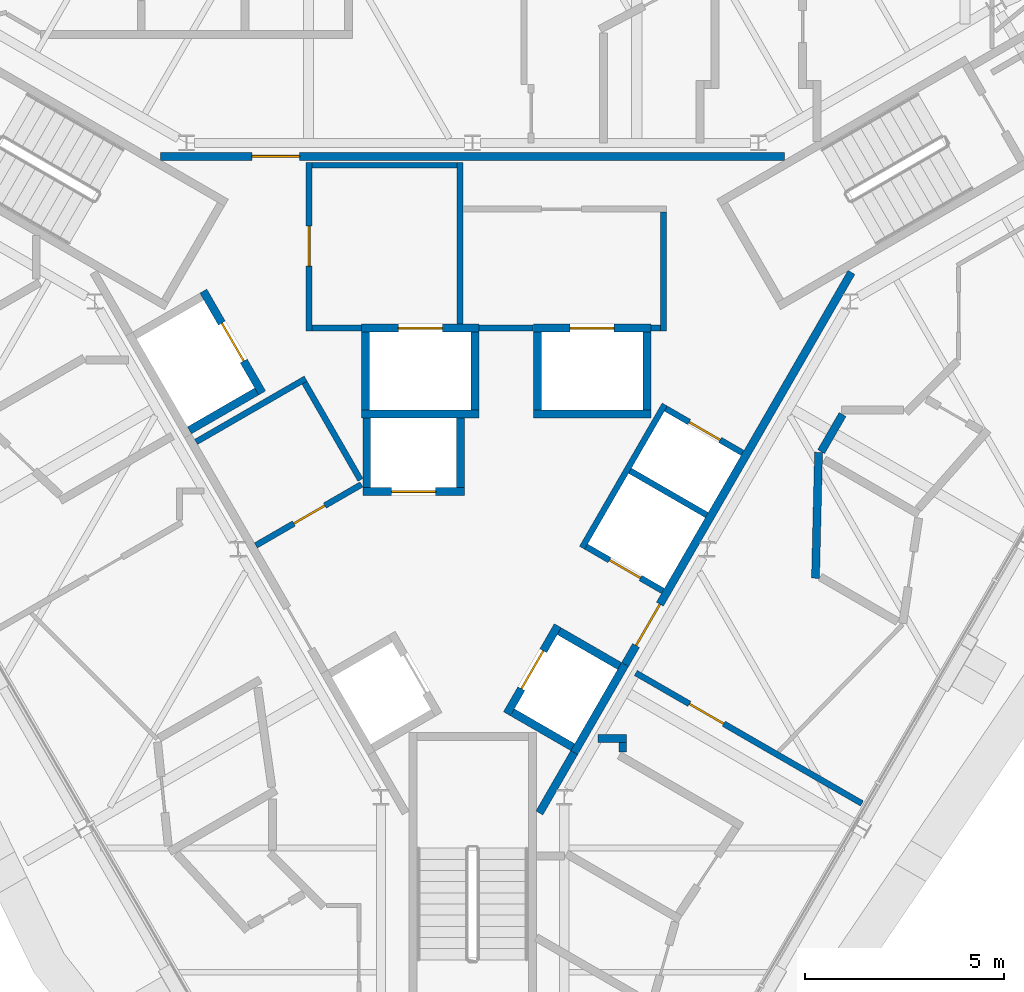
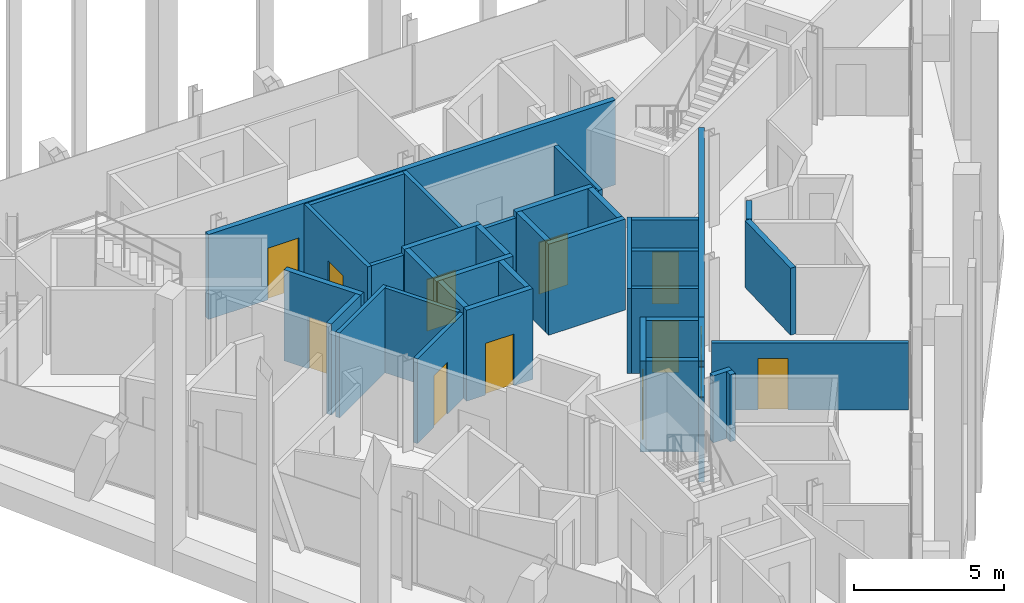
# One storey, part 10 of 15: 39 walls, 12 doors, 12 openings.
"""IFC4 building model written with IfcOpenShell, lengths in metres."""

from ifc_helpers import new_model, si_unit, direction, frame, frame_2d, origin, place, context, subcontext, project, spatial, rectangle, extrude, material, layer, layer_set, type_object, element, fill, save


model = new_model("IFC4")

# Units and contexts
model_context = context("Model", 3, precision=1e-05, world=origin(), true_north=direction((0.0, 1.0)))
body_context = subcontext(model_context, "Body", "Model", "MODEL_VIEW")
ifc_project = project(units=[si_unit("LENGTHUNIT", "METRE"), si_unit("AREAUNIT", "SQUARE_METRE"), si_unit("VOLUMEUNIT", "CUBIC_METRE"), si_unit("PLANEANGLEUNIT", "RADIAN"), si_unit("MASSUNIT", "GRAM", prefix="KILO")], contexts=[model_context])

# Site, building, storey
site_placement = place(None, origin())
site = spatial("IfcSite", under=ifc_project, at=site_placement, CompositionType="ELEMENT")
building_placement = place(site_placement, origin())
building = spatial("IfcBuilding", under=site, at=building_placement, Name="Verrane Prism Tower", CompositionType="ELEMENT")
storey_placement = place(building_placement, frame((0.0, 0.0, 297.300048828125)))
storey = spatial("IfcBuildingStorey", under=building, at=storey_placement, Name="L75", CompositionType="ELEMENT", Elevation=297.300048828125)

# Wall, opening, door
ifc_material_1 = material(Name="Gypsum board partition", Category="other")
ifc_layer_1 = layer(ifc_material_1, 0.199951171875)
ifc_layer_set_1 = layer_set([ifc_layer_1], Name="CW-200 core boundary wall 2 h")
wall_type_1 = type_object("IfcWallType", Name="CW-200 core boundary wall 2 h", PredefinedType="PARTITIONING", material=ifc_layer_set_1)
wall_1_placement = place(storey_placement, frame((7.8291015625, 6.4599609375, 0.0), z_axis=(0.0, 0.0, 1.0), x_axis=(-1.0, 0.0, 0.0)))
wall_1 = element("IfcWall", 1, at=wall_1_placement, inside=storey, type_object=wall_type_1, Name="Core boundary wall CW3-002", PredefinedType="PARTITIONING", context=body_context, shape_type="SweptSolid", body=[
    extrude(rectangle(XDim=15.658203125, YDim=0.199951171875, at=frame_2d((7.8291015625, 0.0))), origin(), (0.0, 0.0, 1.0), 3.449951171875),
])
opening_1_placement = place(wall_1_placement, frame((12.16796875, 0.0, 0.0)))
opening_1 = element("IfcOpeningElement", 2, at=opening_1_placement, cuts=wall_1, Name="Opening D75509", PredefinedType="OPENING", context=body_context, shape_type="SweptSolid", body=[
    extrude(rectangle(XDim=1.199951171875, YDim=2.10009765625, at=frame_2d((0.60009765625, 1.050048828125))), frame((0.0, 0.10986328125, 0.0), z_axis=(0.0, -1.0, 0.0), x_axis=(1.0, 0.0, 0.0)), (0.0, 0.0, 1.0), 0.219970703125),
])
ifc_material_2 = material(Name="Timber veneered door leaf", Category="wood")
door_type_1 = type_object("IfcDoorType", Name="DR-1200x2100 FD60 single leaf lift lobby", OperationType="NOTDEFINED", PredefinedType="DOOR", material=ifc_material_2)
door_1_placement = place(opening_1_placement, origin())
door_1 = element("IfcDoor", 3, at=door_1_placement, inside=storey, type_object=door_type_1, Name="Lift lobby door D75509", OperationType="SINGLE_SWING_RIGHT", OverallHeight=2.10009765625, OverallWidth=1.199951171875, PredefinedType="DOOR", context=body_context, shape_type="SweptSolid", body=[
    extrude(rectangle(XDim=1.199951171875, YDim=2.10009765625, at=frame_2d((0.60009765625, 1.050048828125))), frame((0.0, 0.02490234375, 0.0), z_axis=(0.0, -1.0, 0.0), x_axis=(1.0, 0.0, 0.0)), (0.0, 0.0, 1.0), 0.050048828125),
])
fill(opening_1, door_1)

# Wall
wall_2_placement = place(storey_placement, frame((1.677490234375, -10.0146484375, 0.0), z_axis=(0.0, 0.0, 1.0), x_axis=(0.49983532306, 0.866120459187, 0.0)))
element("IfcWall", 4, at=wall_2_placement, inside=storey, type_object=wall_type_1, Name="Core boundary wall CW3-005", PredefinedType="PARTITIONING", context=body_context, shape_type="SweptSolid", body=[
    extrude(rectangle(XDim=1.74755859375, YDim=0.199951171875, at=frame_2d((0.873779296875, 0.0))), origin(), (0.0, 0.0, 1.0), 3.449951171875),
])

# Wall, opening, door
wall_3_placement = place(storey_placement, frame((3.827880859375, -6.2900390625, 0.0), z_axis=(0.0, 0.0, 1.0), x_axis=(0.499979739078, 0.866037101117, 0.0)))
wall_3 = element("IfcWall", 5, at=wall_3_placement, inside=storey, type_object=wall_type_1, Name="Core boundary wall CW3-006", PredefinedType="PARTITIONING", context=body_context, shape_type="SweptSolid", body=[
    extrude(rectangle(XDim=11.36279296875, YDim=0.199951171875, at=frame_2d((5.681396484375, 0.0))), origin(), (0.0, 0.0, 1.0), 3.449951171875),
])
opening_2_placement = place(wall_3_placement, frame((0.550048828125, 0.0, 0.0)))
opening_2 = element("IfcOpeningElement", 6, at=opening_2_placement, cuts=wall_3, Name="Opening D75515", PredefinedType="OPENING", context=body_context, shape_type="SweptSolid", body=[
    extrude(rectangle(XDim=1.199951171875, YDim=2.10009765625, at=frame_2d((0.60009765625, 1.050048828125))), frame((0.0, 0.10986328125, 0.0), z_axis=(0.0, -1.0, 0.0), x_axis=(1.0, 0.0, 0.0)), (0.0, 0.0, 1.0), 0.219970703125),
])
door_2_placement = place(opening_2_placement, origin())
door_2 = element("IfcDoor", 7, at=door_2_placement, inside=storey, type_object=door_type_1, Name="Lift lobby door D75515", OperationType="SINGLE_SWING_RIGHT", OverallHeight=2.10009765625, OverallWidth=1.199951171875, PredefinedType="DOOR", context=body_context, shape_type="SweptSolid", body=[
    extrude(rectangle(XDim=1.199951171875, YDim=2.10009765625, at=frame_2d((0.60009765625, 1.050048828125))), frame((0.0, 0.02490234375, 0.0), z_axis=(0.0, -1.0, 0.0), x_axis=(1.0, 0.0, 0.0)), (0.0, 0.0, 1.0), 0.050048828125),
])
fill(opening_2, door_2)

ifc_material_3 = material(Name="Gypsum board shaft wall assembly", Category="other")
ifc_layer_2 = layer(ifc_material_3, 0.199951171875)
ifc_layer_set_2 = layer_set([ifc_layer_2], Name="HW-200 lift shaft wall 2 h")
wall_type_2 = type_object("IfcWallType", Name="HW-200 lift shaft wall 2 h", PredefinedType="PARTITIONING", material=ifc_layer_set_2)
wall_4_placement = place(storey_placement, frame((-2.7548828125, -1.949951171875, 0.0), z_axis=(0.0, 0.0, 1.0), x_axis=(1.0, 0.0, 0.0)))
wall_4 = element("IfcWall", 8, at=wall_4_placement, inside=storey, type_object=wall_type_2, Name="Lift shaft wall", PredefinedType="PARTITIONING", context=body_context, shape_type="SweptSolid", body=[
    extrude(rectangle(XDim=2.5498046875, YDim=0.199951171875, at=frame_2d((1.27490234375, 0.0))), origin(), (0.0, 0.0, 1.0), 3.699951171875),
])
opening_3_placement = place(wall_4_placement, frame((0.72509765625, 0.0, 0.0)))
opening_3 = element("IfcOpeningElement", 9, at=opening_3_placement, cuts=wall_4, Name="Opening D75504", PredefinedType="OPENING", context=body_context, shape_type="SweptSolid", body=[
    extrude(rectangle(XDim=1.10009765625, YDim=2.10009765625, at=frame_2d((0.550048828125, 1.050048828125))), frame((0.0, 0.10986328125, 0.0), z_axis=(0.0, -1.0, 0.0), x_axis=(1.0, 0.0, 0.0)), (0.0, 0.0, 1.0), 0.219970703125),
])
ifc_material_4 = material(Name="Stainless steel sliding landing door", Category="steel")
door_type_2 = type_object("IfcDoorType", Name="LD-1100x2100 lift landing door FD90 sliding", OperationType="NOTDEFINED", PredefinedType="DOOR", material=ifc_material_4)
door_3_placement = place(opening_3_placement, origin())
door_3 = element("IfcDoor", 10, at=door_3_placement, inside=storey, type_object=door_type_2, Name="Bank C lift 2 landing door", OperationType="SLIDING_TO_RIGHT", OverallHeight=2.10009765625, OverallWidth=1.10009765625, PredefinedType="DOOR", context=body_context, shape_type="SweptSolid", body=[
    extrude(rectangle(XDim=1.10009765625, YDim=2.10009765625, at=frame_2d((0.550048828125, 1.050048828125))), frame((0.0, 0.02490234375, 0.0), z_axis=(0.0, -1.0, 0.0), x_axis=(1.0, 0.0, 0.0)), (0.0, 0.0, 1.0), 0.050048828125),
])
fill(opening_3, door_3)

# Walls
wall_5_placement = place(storey_placement, frame((-2.784912109375, 0.0, 0.0), z_axis=(0.0, 0.0, 1.0), x_axis=(1.0, 0.0, 0.0)))
element("IfcWall", 11, at=wall_5_placement, inside=storey, type_object=wall_type_2, Name="Lift shaft wall", PredefinedType="PARTITIONING", context=body_context, shape_type="SweptSolid", body=[
    extrude(rectangle(XDim=2.949951171875, YDim=0.199951171875, at=frame_2d((1.47509765625, 0.0))), origin(), (0.0, 0.0, 1.0), 3.699951171875),
])
wall_6_placement = place(storey_placement, frame((1.52490234375, 0.0, 0.0), z_axis=(0.0, 0.0, 1.0), x_axis=(1.0, 0.0, 0.0)))
element("IfcWall", 12, at=wall_6_placement, inside=storey, type_object=wall_type_2, Name="Lift shaft wall", PredefinedType="PARTITIONING", context=body_context, shape_type="SweptSolid", body=[
    extrude(rectangle(XDim=2.9501953125, YDim=0.199951171875, at=frame_2d((1.47509765625, 0.0))), origin(), (0.0, 0.0, 1.0), 3.699951171875),
])

# Wall, opening, door
wall_7_placement = place(storey_placement, frame((-2.784912109375, 2.14990234375, 0.0), z_axis=(0.0, 0.0, 1.0), x_axis=(1.0, 0.0, 0.0)))
wall_7 = element("IfcWall", 13, at=wall_7_placement, inside=storey, type_object=wall_type_2, Name="Lift shaft wall", PredefinedType="PARTITIONING", context=body_context, shape_type="SweptSolid", body=[
    extrude(rectangle(XDim=2.949951171875, YDim=0.199951171875, at=frame_2d((1.47509765625, 0.0))), origin(), (0.0, 0.0, 1.0), 3.699951171875),
])
opening_4_placement = place(wall_7_placement, frame((0.925048828125, 0.0, 0.0)))
opening_4 = element("IfcOpeningElement", 14, at=opening_4_placement, cuts=wall_7, Name="Opening D75506", PredefinedType="OPENING", context=body_context, shape_type="SweptSolid", body=[
    extrude(rectangle(XDim=1.10009765625, YDim=2.10009765625, at=frame_2d((0.550048828125, 1.050048828125))), frame((0.0, 0.10986328125, 0.0), z_axis=(0.0, -1.0, 0.0), x_axis=(1.0, 0.0, 0.0)), (0.0, 0.0, 1.0), 0.219970703125),
])
door_4_placement = place(opening_4_placement, origin())
door_4 = element("IfcDoor", 15, at=door_4_placement, inside=storey, type_object=door_type_2, Name="Fire service lift 1 landing door", OperationType="SLIDING_TO_LEFT", OverallHeight=2.10009765625, OverallWidth=1.10009765625, PredefinedType="DOOR", context=body_context, shape_type="SweptSolid", body=[
    extrude(rectangle(XDim=1.10009765625, YDim=2.10009765625, at=frame_2d((0.550048828125, 1.050048828125))), frame((0.0, 0.02490234375, 0.0), z_axis=(0.0, -1.0, 0.0), x_axis=(1.0, 0.0, 0.0)), (0.0, 0.0, 1.0), 0.050048828125),
])
fill(opening_4, door_4)

wall_8_placement = place(storey_placement, frame((1.52490234375, 2.14990234375, 0.0), z_axis=(0.0, 0.0, 1.0), x_axis=(1.0, 0.0, 0.0)))
wall_8 = element("IfcWall", 16, at=wall_8_placement, inside=storey, type_object=wall_type_2, Name="Lift shaft wall", PredefinedType="PARTITIONING", context=body_context, shape_type="SweptSolid", body=[
    extrude(rectangle(XDim=2.9501953125, YDim=0.199951171875, at=frame_2d((1.47509765625, 0.0))), origin(), (0.0, 0.0, 1.0), 3.699951171875),
])
opening_5_placement = place(wall_8_placement, frame((0.925048828125, 0.0, 0.0)))
opening_5 = element("IfcOpeningElement", 17, at=opening_5_placement, cuts=wall_8, Name="Opening D75507", PredefinedType="OPENING", context=body_context, shape_type="SweptSolid", body=[
    extrude(rectangle(XDim=1.10009765625, YDim=2.10009765625, at=frame_2d((0.550048828125, 1.050048828125))), frame((0.0, 0.10986328125, 0.0), z_axis=(0.0, -1.0, 0.0), x_axis=(1.0, 0.0, 0.0)), (0.0, 0.0, 1.0), 0.219970703125),
])
door_5_placement = place(opening_5_placement, origin())
door_5 = element("IfcDoor", 18, at=door_5_placement, inside=storey, type_object=door_type_2, Name="Fire service lift 2 landing door", OperationType="SLIDING_TO_RIGHT", OverallHeight=2.10009765625, OverallWidth=1.10009765625, PredefinedType="DOOR", context=body_context, shape_type="SweptSolid", body=[
    extrude(rectangle(XDim=1.10009765625, YDim=2.10009765625, at=frame_2d((0.550048828125, 1.050048828125))), frame((0.0, 0.02490234375, 0.0), z_axis=(0.0, -1.0, 0.0), x_axis=(1.0, 0.0, 0.0)), (0.0, 0.0, 1.0), 0.050048828125),
])
fill(opening_5, door_5)

# Walls
wall_9_placement = place(storey_placement, frame((-7.10546875, -0.4130859375, 0.0), z_axis=(0.0, 0.0, 1.0), x_axis=(0.866000020948, 0.500043961785, 0.0)))
element("IfcWall", 19, at=wall_9_placement, inside=storey, type_object=wall_type_2, Name="Lift shaft wall", PredefinedType="PARTITIONING", context=body_context, shape_type="SweptSolid", body=[
    extrude(rectangle(XDim=1.949951171875, YDim=0.199951171875, at=frame_2d((0.97509765625, 0.0))), origin(), (0.0, 0.0, 1.0), 3.699951171875),
])
wall_10_placement = place(storey_placement, frame((2.552001953125, -8.499755859375, 0.0), z_axis=(0.0, 0.0, 1.0), x_axis=(0.499990435942, 0.866030925526, 0.0)))
element("IfcWall", 20, at=wall_10_placement, inside=storey, type_object=wall_type_2, Name="Lift shaft wall", PredefinedType="PARTITIONING", context=body_context, shape_type="SweptSolid", body=[
    extrude(rectangle(XDim=2.5498046875, YDim=0.199951171875, at=frame_2d((1.27490234375, 0.0))), origin(), (0.0, 0.0, 1.0), 3.699951171875),
])

# Wall, opening, door
wall_11_placement = place(storey_placement, frame((0.86328125, -7.524658203125, 0.0), z_axis=(0.0, 0.0, 1.0), x_axis=(0.499990435942, 0.866030925526, 0.0)))
wall_11 = element("IfcWall", 21, at=wall_11_placement, inside=storey, type_object=wall_type_2, Name="Lift shaft wall", PredefinedType="PARTITIONING", context=body_context, shape_type="SweptSolid", body=[
    extrude(rectangle(XDim=2.5498046875, YDim=0.199951171875, at=frame_2d((1.27490234375, 0.0))), origin(), (0.0, 0.0, 1.0), 3.699951171875),
])
opening_6_placement = place(wall_11_placement, frame((0.72509765625, 0.0, 0.0)))
opening_6 = element("IfcOpeningElement", 22, at=opening_6_placement, cuts=wall_11, Name="Opening D75505", PredefinedType="OPENING", context=body_context, shape_type="SweptSolid", body=[
    extrude(rectangle(XDim=1.10009765625, YDim=2.10009765625, at=frame_2d((0.550048828125, 1.050048828125))), frame((0.0, 0.10986328125, 0.0), z_axis=(0.0, -1.0, 0.0), x_axis=(1.0, 0.0, 0.0)), (0.0, 0.0, 1.0), 0.219970703125),
])
door_6_placement = place(opening_6_placement, origin())
door_6 = element("IfcDoor", 23, at=door_6_placement, inside=storey, type_object=door_type_2, Name="Bank C lift 3 landing door", OperationType="SLIDING_TO_LEFT", OverallHeight=2.10009765625, OverallWidth=1.10009765625, PredefinedType="DOOR", context=body_context, shape_type="SweptSolid", body=[
    extrude(rectangle(XDim=1.10009765625, YDim=2.10009765625, at=frame_2d((0.550048828125, 1.050048828125))), frame((0.0, 0.02490234375, 0.0), z_axis=(0.0, -1.0, 0.0), x_axis=(1.0, 0.0, 0.0)), (0.0, 0.0, 1.0), 0.050048828125),
])
fill(opening_6, door_6)

# Walls
for number, where, z_axis, x_axis, name in (
    (24, (4.375, 0.10009765625, 0.0), (0.0, 0.0, 1.0), (0.0, 1.0, 0.0), "Lift shaft wall"),
    (25, (1.625, 0.10009765625, 0.0), (0.0, 0.0, 1.0), (0.0, 1.0, 0.0), "Lift shaft wall"),
    (26, (0.06494140625, 0.10009765625, 0.0), (0.0, 0.0, 1.0), (0.0, 1.0, 0.0), "Lift shaft wall"),
):
    element("IfcWall", number, at=place(storey_placement, frame(where, z_axis=z_axis, x_axis=x_axis)), inside=storey, type_object=wall_type_2, Name=name, PredefinedType="PARTITIONING", context=body_context, shape_type="SweptSolid", body=[
        extrude(rectangle(XDim=1.949951171875, YDim=0.199951171875, at=frame_2d((0.97509765625, 0.0))), origin(), (0.0, 0.0, 1.0), 3.699951171875),
    ])
for number, where, z_axis, x_axis, name in (
    (27, (-0.304931640625, -1.85009765625, 0.0), (0.0, 0.0, 1.0), (0.0, 1.0, 0.0), "Lift shaft wall"),
    (28, (-2.655029296875, -1.85009765625, 0.0), (0.0, 0.0, 1.0), (0.0, 1.0, 0.0), "Lift shaft wall"),
):
    element("IfcWall", number, at=place(storey_placement, frame(where, z_axis=z_axis, x_axis=x_axis)), inside=storey, type_object=wall_type_2, Name=name, PredefinedType="PARTITIONING", context=body_context, shape_type="SweptSolid", body=[
        extrude(rectangle(XDim=1.75, YDim=0.199951171875, at=frame_2d((0.875, 0.0))), origin(), (0.0, 0.0, 1.0), 3.699951171875),
    ])
wall_12_placement = place(storey_placement, frame((-2.68505859375, 0.10009765625, 0.0), z_axis=(0.0, 0.0, 1.0), x_axis=(0.0, 1.0, 0.0)))
element("IfcWall", 29, at=wall_12_placement, inside=storey, type_object=wall_type_2, Name="Lift shaft wall", PredefinedType="PARTITIONING", context=body_context, shape_type="SweptSolid", body=[
    extrude(rectangle(XDim=1.949951171875, YDim=0.199951171875, at=frame_2d((0.97509765625, 0.0))), origin(), (0.0, 0.0, 1.0), 3.699951171875),
])

# Wall, opening, door
wall_13_placement = place(storey_placement, frame((-5.280029296875, 0.525390625, 0.0), z_axis=(0.0, 0.0, 1.0), x_axis=(-0.500037662692, 0.866003658127, 0.0)))
wall_13 = element("IfcWall", 30, at=wall_13_placement, inside=storey, type_object=wall_type_2, Name="Lift shaft wall", PredefinedType="PARTITIONING", context=body_context, shape_type="SweptSolid", body=[
    extrude(rectangle(XDim=2.949951171875, YDim=0.199951171875, at=frame_2d((1.47509765625, 0.0))), origin(), (0.0, 0.0, 1.0), 3.699951171875),
])
opening_7_placement = place(wall_13_placement, frame((0.925048828125, 0.0, 0.0)))
opening_7 = element("IfcOpeningElement", 31, at=opening_7_placement, cuts=wall_13, Name="Opening D75508", PredefinedType="OPENING", context=body_context, shape_type="SweptSolid", body=[
    extrude(rectangle(XDim=1.10009765625, YDim=2.10009765625, at=frame_2d((0.550048828125, 1.050048828125))), frame((0.0, 0.10986328125, 0.0), z_axis=(0.0, -1.0, 0.0), x_axis=(1.0, 0.0, 0.0)), (0.0, 0.0, 1.0), 0.219970703125),
])
door_7_placement = place(opening_7_placement, origin())
door_7 = element("IfcDoor", 32, at=door_7_placement, inside=storey, type_object=door_type_2, Name="Service lift 1 landing door", OperationType="SLIDING_TO_LEFT", OverallHeight=2.10009765625, OverallWidth=1.10009765625, PredefinedType="DOOR", context=body_context, shape_type="SweptSolid", body=[
    extrude(rectangle(XDim=1.10009765625, YDim=2.10009765625, at=frame_2d((0.550048828125, 1.050048828125))), frame((0.0, 0.02490234375, 0.0), z_axis=(0.0, -1.0, 0.0), x_axis=(1.0, 0.0, 0.0)), (0.0, 0.0, 1.0), 0.050048828125),
])
fill(opening_7, door_7)

# Walls
for number, where, z_axis, x_axis, name in (
    (33, (3.6904296875, -6.327880859375, 0.0), (0.0, 0.0, 1.0), (-0.866036909293, 0.499980071345, 0.0), "Lift shaft wall"),
    (34, (2.515380859375, -8.36328125, 0.0), (0.0, 0.0, 1.0), (-0.866036909293, 0.499980071345, 0.0), "Lift shaft wall"),
):
    element("IfcWall", number, at=place(storey_placement, frame(where, z_axis=z_axis, x_axis=x_axis)), inside=storey, type_object=wall_type_2, Name=name, PredefinedType="PARTITIONING", context=body_context, shape_type="SweptSolid", body=[
        extrude(rectangle(XDim=1.75, YDim=0.199951171875, at=frame_2d((0.875, 0.0))), origin(), (0.0, 0.0, 1.0), 3.699951171875),
    ])

# Wall, opening, door
ifc_material_5 = material(Name="Gypsum board partition", Category="other")
ifc_layer_3 = layer(ifc_material_5, 0.14990234375)
ifc_layer_set_3 = layer_set([ifc_layer_3], Name="LF-150 firefighting lobby wall 1 h")
wall_type_3 = type_object("IfcWallType", Name="LF-150 firefighting lobby wall 1 h", PredefinedType="PARTITIONING", material=ifc_layer_set_3)
wall_14_placement = place(storey_placement, frame((-4.10009765625, 2.0849609375, 0.0), z_axis=(0.0, 0.0, 1.0), x_axis=(0.0, 1.0, 0.0)))
wall_14 = element("IfcWall", 35, at=wall_14_placement, inside=storey, type_object=wall_type_3, Name="Firefighting lobby wall LF1-001", PredefinedType="PARTITIONING", context=body_context, shape_type="SweptSolid", body=[
    extrude(rectangle(XDim=4.22998046875, YDim=0.14990234375, at=frame_2d((2.114990234375, 0.0))), origin(), (0.0, 0.0, 1.0), 3.449951171875),
])
opening_8_placement = place(wall_14_placement, frame((1.625, 0.0, 0.0)))
opening_8 = element("IfcOpeningElement", 36, at=opening_8_placement, cuts=wall_14, Name="Opening D75512", PredefinedType="OPENING", context=body_context, shape_type="SweptSolid", body=[
    extrude(rectangle(XDim=1.0, YDim=2.10009765625, at=frame_2d((0.5, 1.050048828125))), frame((0.0, 0.0849609375, 0.0), z_axis=(0.0, -1.0, 0.0), x_axis=(1.0, 0.0, 0.0)), (0.0, 0.0, 1.0), 0.169921875),
])
ifc_material_6 = material(Name="Timber veneered door leaf", Category="wood")
door_type_3 = type_object("IfcDoorType", Name="DR-1000x2100 FD60 single leaf firefighting lobby", OperationType="NOTDEFINED", PredefinedType="DOOR", material=ifc_material_6)
door_8_placement = place(opening_8_placement, origin())
door_8 = element("IfcDoor", 37, at=door_8_placement, inside=storey, type_object=door_type_3, Name="Firefighting lobby door D75512", OperationType="SINGLE_SWING_RIGHT", OverallHeight=2.10009765625, OverallWidth=1.0, PredefinedType="DOOR", context=body_context, shape_type="SweptSolid", body=[
    extrude(rectangle(XDim=1.0, YDim=2.10009765625, at=frame_2d((0.5, 1.050048828125))), frame((0.0, 0.02490234375, 0.0), z_axis=(0.0, -1.0, 0.0), x_axis=(1.0, 0.0, 0.0)), (0.0, 0.0, 1.0), 0.050048828125),
])
fill(opening_8, door_8)

# Walls
wall_15_placement = place(storey_placement, frame((-4.02490234375, 2.159912109375, 0.0), z_axis=(0.0, 0.0, 1.0), x_axis=(1.0, 0.0, 0.0)))
element("IfcWall", 38, at=wall_15_placement, inside=storey, type_object=wall_type_3, Name="Firefighting lobby wall LF1-002", PredefinedType="PARTITIONING", context=body_context, shape_type="SweptSolid", body=[
    extrude(rectangle(XDim=1.23779296875, YDim=0.14990234375, at=frame_2d((0.618896484375, 0.0))), origin(), (0.0, 0.0, 1.0), 3.449951171875),
])
wall_16_placement = place(storey_placement, frame((-4.02490234375, 6.239990234375, 0.0), z_axis=(0.0, 0.0, 1.0), x_axis=(1.0, 0.0, 0.0)))
element("IfcWall", 39, at=wall_16_placement, inside=storey, type_object=wall_type_3, Name="Firefighting lobby wall LF1-003", PredefinedType="PARTITIONING", context=body_context, shape_type="SweptSolid", body=[
    extrude(rectangle(XDim=3.6298828125, YDim=0.14990234375, at=frame_2d((1.81494140625, 0.0))), origin(), (0.0, 0.0, 1.0), 3.449951171875),
])
wall_17_placement = place(storey_placement, frame((-0.320068359375, 2.251953125, 0.0), z_axis=(0.0, 0.0, 1.0), x_axis=(0.0, 1.0, 0.0)))
element("IfcWall", 40, at=wall_17_placement, inside=storey, type_object=wall_type_3, Name="Firefighting lobby wall LF1-004", PredefinedType="PARTITIONING", context=body_context, shape_type="SweptSolid", body=[
    extrude(rectangle(XDim=4.06298828125, YDim=0.14990234375, at=frame_2d((2.031494140625, 0.0))), origin(), (0.0, 0.0, 1.0), 3.449951171875),
])
wall_18_placement = place(storey_placement, frame((0.1669921875, 2.159912109375, 0.0), z_axis=(0.0, 0.0, 1.0), x_axis=(1.0, 0.0, 0.0)))
element("IfcWall", 41, at=wall_18_placement, inside=storey, type_object=wall_type_3, Name="Firefighting lobby wall LF1-006", PredefinedType="PARTITIONING", context=body_context, shape_type="SweptSolid", body=[
    extrude(rectangle(XDim=1.35595703125, YDim=0.14990234375, at=frame_2d((0.677978515625, 0.0))), origin(), (0.0, 0.0, 1.0), 3.449951171875),
])
wall_19_placement = place(storey_placement, frame((4.47705078125, 2.159912109375, 0.0), z_axis=(0.0, 0.0, 1.0), x_axis=(1.0, 0.0, 0.0)))
element("IfcWall", 42, at=wall_19_placement, inside=storey, type_object=wall_type_3, Name="Firefighting lobby wall LF1-007", PredefinedType="PARTITIONING", context=body_context, shape_type="SweptSolid", body=[
    extrude(rectangle(XDim=0.238037109375, YDim=0.14990234375, at=frame_2d((0.119140625, 0.0))), origin(), (0.0, 0.0, 1.0), 3.449951171875),
])
wall_20_placement = place(storey_placement, frame((4.7900390625, 2.0849609375, 0.0), z_axis=(0.0, 0.0, 1.0), x_axis=(0.0, 1.0, 0.0)))
element("IfcWall", 43, at=wall_20_placement, inside=storey, type_object=wall_type_3, Name="Firefighting lobby wall LF1-008", PredefinedType="PARTITIONING", context=body_context, shape_type="SweptSolid", body=[
    extrude(rectangle(XDim=2.97998046875, YDim=0.14990234375, at=frame_2d((1.489990234375, 0.0))), origin(), (0.0, 0.0, 1.0), 3.449951171875),
])

# Wall, opening, door
ifc_material_7 = material(Name="Gypsum board partition", Category="other")
ifc_layer_4 = layer(ifc_material_7, 0.14990234375)
ifc_layer_set_4 = layer_set([ifc_layer_4], Name="PW-150 demising wall 1 h")
wall_type_4 = type_object("IfcWallType", Name="PW-150 demising wall 1 h", PredefinedType="PARTITIONING", material=ifc_layer_set_4)
wall_21_placement = place(storey_placement, frame((9.771728515625, -9.77685546875, 0.0), z_axis=(0.0, 0.0, 1.0), x_axis=(-0.866083818164, 0.499898809675, 0.0)))
wall_21 = element("IfcWall", 44, at=wall_21_placement, inside=storey, type_object=wall_type_4, Name="Demising wall 060", PredefinedType="PARTITIONING", context=body_context, shape_type="SweptSolid", body=[
    extrude(rectangle(XDim=6.551025390625, YDim=0.14990234375, at=frame_2d((3.275390625, 0.0))), origin(), (0.0, 0.0, 1.0), 2.722900390625),
])
opening_9_placement = place(wall_21_placement, frame((4.0009765625, 0.0, 0.0)))
opening_9 = element("IfcOpeningElement", 45, at=opening_9_placement, cuts=wall_21, Name="Opening D75003", PredefinedType="OPENING", context=body_context, shape_type="SweptSolid", body=[
    extrude(rectangle(XDim=1.0, YDim=2.10009765625, at=frame_2d((0.5, 1.050048828125))), frame((0.0, 0.0849609375, 0.0), z_axis=(0.0, -1.0, 0.0), x_axis=(1.0, 0.0, 0.0)), (0.0, 0.0, 1.0), 0.169921875),
])
ifc_material_8 = material(Name="Timber veneered door leaf", Category="wood")
door_type_4 = type_object("IfcDoorType", Name="DR-1000x2100 FD20 single leaf inner", OperationType="NOTDEFINED", PredefinedType="DOOR", material=ifc_material_8)
door_9_placement = place(opening_9_placement, origin())
door_9 = element("IfcDoor", 46, at=door_9_placement, inside=storey, type_object=door_type_4, Name="Entrance Foyer door", OperationType="SINGLE_SWING_RIGHT", OverallHeight=2.10009765625, OverallWidth=1.0, PredefinedType="DOOR", context=body_context, shape_type="SweptSolid", body=[
    extrude(rectangle(XDim=1.0, YDim=2.10009765625, at=frame_2d((0.5, 1.050048828125))), frame((0.0, 0.02490234375, 0.0), z_axis=(0.0, -1.0, 0.0), x_axis=(1.0, 0.0, 0.0)), (0.0, 0.0, 1.0), 0.050048828125),
])
fill(opening_9, door_9)

# Walls
ifc_material_9 = material(Name="Gypsum board partition", Category="other")
ifc_layer_5 = layer(ifc_material_9, 0.199951171875)
ifc_layer_set_5 = layer_set([ifc_layer_5], Name="PW-200 plumbing wall")
wall_type_5 = type_object("IfcWallType", Name="PW-200 plumbing wall", PredefinedType="PARTITIONING", material=ifc_layer_set_5)
wall_22_placement = place(storey_placement, frame((3.14599609375, -8.15087890625, 0.0), z_axis=(0.0, 0.0, 1.0), x_axis=(1.0, 0.0, 0.0)))
element("IfcWall", 47, at=wall_22_placement, inside=storey, type_object=wall_type_5, Name="Plumbing wall 055", PredefinedType="PARTITIONING", context=body_context, shape_type="SweptSolid", body=[
    extrude(rectangle(XDim=0.722900390625, YDim=0.199951171875, at=frame_2d((0.361328125, 0.0))), origin(), (0.0, 0.0, 1.0), 2.722900390625),
])
wall_23_placement = place(storey_placement, frame((3.76904296875, -8.486083984375, 0.0), z_axis=(0.0, 0.0, 1.0), x_axis=(0.0, 1.0, 0.0)))
element("IfcWall", 48, at=wall_23_placement, inside=storey, type_object=wall_type_5, Name="Plumbing wall 058", PredefinedType="PARTITIONING", context=body_context, shape_type="SweptSolid", body=[
    extrude(rectangle(XDim=0.235107421875, YDim=0.199951171875, at=frame_2d((0.11767578125, 0.0))), origin(), (0.0, 0.0, 1.0), 2.722900390625),
])
wall_24_placement = place(storey_placement, frame((8.606689453125, -4.125, 0.0), z_axis=(0.0, 0.0, 1.0), x_axis=(0.024245593124, 0.999706032399, 0.0)))
element("IfcWall", 49, at=wall_24_placement, inside=storey, type_object=wall_type_5, Name="Plumbing wall 070", PredefinedType="PARTITIONING", context=body_context, shape_type="SweptSolid", body=[
    extrude(rectangle(XDim=3.161865234375, YDim=0.199951171875, at=frame_2d((1.5810546875, 0.0))), origin(), (0.0, 0.0, 1.0), 2.722900390625),
])
wall_25_placement = place(storey_placement, frame((8.74853515625, -0.947021484375, 0.0), z_axis=(0.0, 0.0, 1.0), x_axis=(0.499656913366, 0.866223394354, 0.0)))
element("IfcWall", 50, at=wall_25_placement, inside=storey, type_object=wall_type_5, Name="Plumbing wall 073", PredefinedType="PARTITIONING", context=body_context, shape_type="SweptSolid", body=[
    extrude(rectangle(XDim=1.074951171875, YDim=0.199951171875, at=frame_2d((0.53759765625, 0.0))), origin(), (0.0, 0.0, 1.0), 2.722900390625),
])
ifc_material_10 = material(Name="Gypsum board partition", Category="other")
ifc_layer_6 = layer(ifc_material_10, 0.14990234375)
ifc_layer_set_6 = layer_set([ifc_layer_6], Name="RS-150 riser enclosure wall 1 h")
wall_type_6 = type_object("IfcWallType", Name="RS-150 riser enclosure wall 1 h", PredefinedType="PARTITIONING", material=ifc_layer_set_6)
wall_26_placement = place(storey_placement, frame((-6.9375, -0.702880859375, 0.0), z_axis=(0.0, 0.0, 1.0), x_axis=(0.866029357279, 0.499993152284, 0.0)))
element("IfcWall", 51, at=wall_26_placement, inside=storey, type_object=wall_type_6, Name="Riser wall RS3-001", PredefinedType="PARTITIONING", context=body_context, shape_type="SweptSolid", body=[
    extrude(rectangle(XDim=3.1748046875, YDim=0.14990234375, at=frame_2d((1.58740234375, 0.0))), origin(), (0.0, 0.0, 1.0), 3.449951171875),
])

# Wall, opening, door
wall_27_placement = place(storey_placement, frame((-5.4375, -3.301025390625, 0.0), z_axis=(0.0, 0.0, 1.0), x_axis=(0.865961047596, 0.500111451624, 0.0)))
wall_27 = element("IfcWall", 52, at=wall_27_placement, inside=storey, type_object=wall_type_6, Name="Riser wall RS3-002", PredefinedType="PARTITIONING", context=body_context, shape_type="SweptSolid", body=[
    extrude(rectangle(XDim=3.060302734375, YDim=0.14990234375, at=frame_2d((1.5302734375, 0.0))), origin(), (0.0, 0.0, 1.0), 3.449951171875),
])
opening_10_placement = place(wall_27_placement, frame((1.10009765625, 0.0, 0.0)))
opening_10 = element("IfcOpeningElement", 53, at=opening_10_placement, cuts=wall_27, Name="Opening D75511", PredefinedType="OPENING", context=body_context, shape_type="SweptSolid", body=[
    extrude(rectangle(XDim=0.89990234375, YDim=2.10009765625, at=frame_2d((0.449951171875, 1.050048828125))), frame((0.0, 0.0849609375, 0.0), z_axis=(0.0, -1.0, 0.0), x_axis=(1.0, 0.0, 0.0)), (0.0, 0.0, 1.0), 0.169921875),
])
ifc_material_11 = material(Name="Timber veneered door leaf", Category="wood")
door_type_5 = type_object("IfcDoorType", Name="DR-900x2100 FD20 single leaf store", OperationType="NOTDEFINED", PredefinedType="DOOR", material=ifc_material_11)
door_10_placement = place(opening_10_placement, origin())
door_10 = element("IfcDoor", 54, at=door_10_placement, inside=storey, type_object=door_type_5, Name="Room door D75511", OperationType="SINGLE_SWING_RIGHT", OverallHeight=2.10009765625, OverallWidth=0.89990234375, PredefinedType="DOOR", context=body_context, shape_type="SweptSolid", body=[
    extrude(rectangle(XDim=0.89990234375, YDim=2.10009765625, at=frame_2d((0.449951171875, 1.050048828125))), frame((0.0, 0.02490234375, 0.0), z_axis=(0.0, -1.0, 0.0), x_axis=(1.0, 0.0, 0.0)), (0.0, 0.0, 1.0), 0.050048828125),
])
fill(opening_10, door_10)

# Walls
wall_28_placement = place(storey_placement, frame((-4.215576171875, 0.781982421875, 0.0), z_axis=(0.0, 0.0, 1.0), x_axis=(0.498733469436, -0.866755401751, 0.0)))
element("IfcWall", 55, at=wall_28_placement, inside=storey, type_object=wall_type_6, Name="Riser wall RS3-003", PredefinedType="PARTITIONING", context=body_context, shape_type="SweptSolid", body=[
    extrude(rectangle(XDim=2.814697265625, YDim=0.14990234375, at=frame_2d((1.4072265625, 0.0))), origin(), (0.0, 0.0, 1.0), 3.449951171875),
])
wall_29_placement = place(storey_placement, frame((2.74853515625, -3.35888671875, 0.0), z_axis=(0.0, 0.0, 1.0), x_axis=(0.500017827812, 0.866015110648, 0.0)))
element("IfcWall", 56, at=wall_29_placement, inside=storey, type_object=wall_type_6, Name="Riser wall RS3-004", PredefinedType="PARTITIONING", context=body_context, shape_type="SweptSolid", body=[
    extrude(rectangle(XDim=4.149658203125, YDim=0.14990234375, at=frame_2d((2.07470703125, 0.0))), origin(), (0.0, 0.0, 1.0), 3.449951171875),
])

# Wall, opening, door
wall_30_placement = place(storey_placement, frame((2.85107421875, -3.33154296875, 0.0), z_axis=(0.0, 0.0, 1.0), x_axis=(0.866110524189, -0.499852538144, 0.0)))
wall_30 = element("IfcWall", 57, at=wall_30_placement, inside=storey, type_object=wall_type_6, Name="Riser wall RS3-005", PredefinedType="PARTITIONING", context=body_context, shape_type="SweptSolid", body=[
    extrude(rectangle(XDim=2.220458984375, YDim=0.14990234375, at=frame_2d((1.1103515625, 0.0))), origin(), (0.0, 0.0, 1.0), 3.449951171875),
])
opening_11_placement = place(wall_30_placement, frame((0.675048828125, 0.0, 0.0)))
opening_11 = element("IfcOpeningElement", 58, at=opening_11_placement, cuts=wall_30, Name="Opening D75514", PredefinedType="OPENING", context=body_context, shape_type="SweptSolid", body=[
    extrude(rectangle(XDim=0.89990234375, YDim=2.10009765625, at=frame_2d((0.449951171875, 1.050048828125))), frame((0.0, 0.0849609375, 0.0), z_axis=(0.0, -1.0, 0.0), x_axis=(1.0, 0.0, 0.0)), (0.0, 0.0, 1.0), 0.169921875),
])
ifc_material_12 = material(Name="Timber veneered door leaf", Category="wood")
door_type_6 = type_object("IfcDoorType", Name="DR-900x2100 FD60 single leaf riser", OperationType="NOTDEFINED", PredefinedType="DOOR", material=ifc_material_12)
door_11_placement = place(opening_11_placement, origin())
door_11 = element("IfcDoor", 59, at=door_11_placement, inside=storey, type_object=door_type_6, Name="Riser door D75514", OperationType="SINGLE_SWING_RIGHT", OverallHeight=2.10009765625, OverallWidth=0.89990234375, PredefinedType="DOOR", context=body_context, shape_type="SweptSolid", body=[
    extrude(rectangle(XDim=0.89990234375, YDim=2.10009765625, at=frame_2d((0.449951171875, 1.050048828125))), frame((0.0, 0.02490234375, 0.0), z_axis=(0.0, -1.0, 0.0), x_axis=(1.0, 0.0, 0.0)), (0.0, 0.0, 1.0), 0.050048828125),
])
fill(opening_11, door_11)

# Wall
wall_31_placement = place(storey_placement, frame((3.950927734375, -1.426513671875, 0.0), z_axis=(0.0, 0.0, 1.0), x_axis=(0.866062920605, -0.499935013329, 0.0)))
element("IfcWall", 60, at=wall_31_placement, inside=storey, type_object=wall_type_6, Name="Riser wall RS3-006", PredefinedType="PARTITIONING", context=body_context, shape_type="SweptSolid", body=[
    extrude(rectangle(XDim=2.220458984375, YDim=0.14990234375, at=frame_2d((1.1103515625, 0.0))), origin(), (0.0, 0.0, 1.0), 3.449951171875),
])

# Wall, opening, door
wall_32_placement = place(storey_placement, frame((6.774169921875, -0.9775390625, 0.0), z_axis=(0.0, 0.0, 1.0), x_axis=(-0.866062920605, 0.499935013329, 0.0)))
wall_32 = element("IfcWall", 61, at=wall_32_placement, inside=storey, type_object=wall_type_6, Name="Riser wall RS3-007", PredefinedType="PARTITIONING", context=body_context, shape_type="SweptSolid", body=[
    extrude(rectangle(XDim=2.220458984375, YDim=0.14990234375, at=frame_2d((1.1103515625, 0.0))), origin(), (0.0, 0.0, 1.0), 3.449951171875),
])
opening_12_placement = place(wall_32_placement, frame((0.6455078125, 0.0, 0.0)))
opening_12 = element("IfcOpeningElement", 62, at=opening_12_placement, cuts=wall_32, Name="Opening D75516", PredefinedType="OPENING", context=body_context, shape_type="SweptSolid", body=[
    extrude(rectangle(XDim=0.89990234375, YDim=2.10009765625, at=frame_2d((0.449951171875, 1.050048828125))), frame((0.0, 0.0849609375, 0.0), z_axis=(0.0, -1.0, 0.0), x_axis=(1.0, 0.0, 0.0)), (0.0, 0.0, 1.0), 0.169921875),
])
door_12_placement = place(opening_12_placement, origin())
door_12 = element("IfcDoor", 63, at=door_12_placement, inside=storey, type_object=door_type_6, Name="Riser door D75516", OperationType="SINGLE_SWING_RIGHT", OverallHeight=2.10009765625, OverallWidth=0.89990234375, PredefinedType="DOOR", context=body_context, shape_type="SweptSolid", body=[
    extrude(rectangle(XDim=0.89990234375, YDim=2.10009765625, at=frame_2d((0.449951171875, 1.050048828125))), frame((0.0, 0.02490234375, 0.0), z_axis=(0.0, -1.0, 0.0), x_axis=(1.0, 0.0, 0.0)), (0.0, 0.0, 1.0), 0.050048828125),
])
fill(opening_12, door_12)

save(model, "model.ifc")
